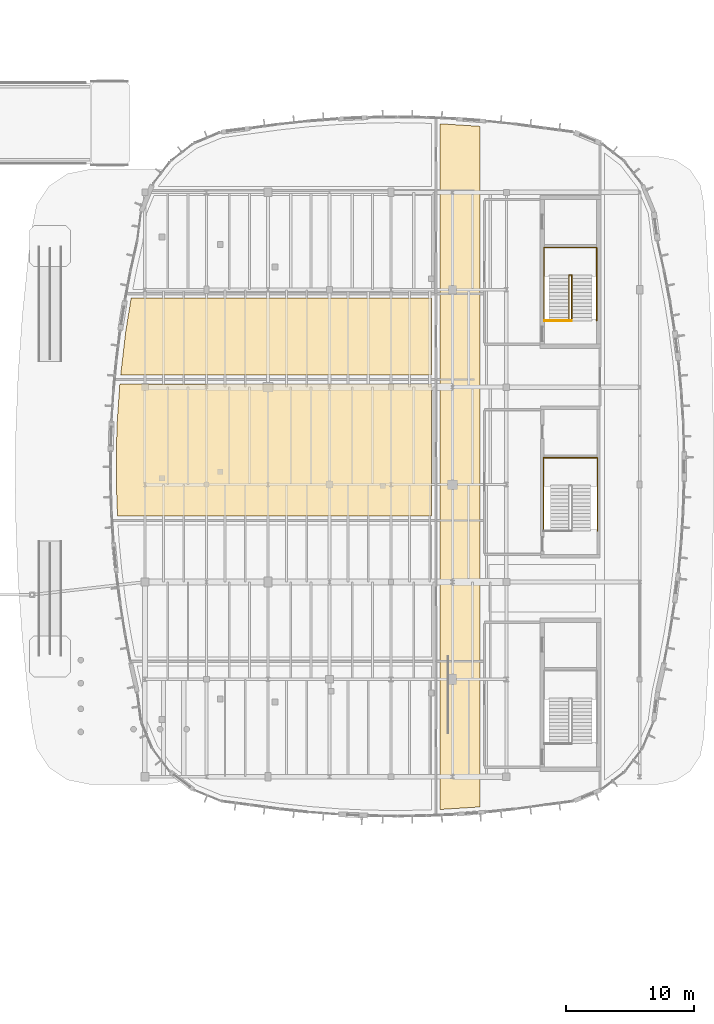
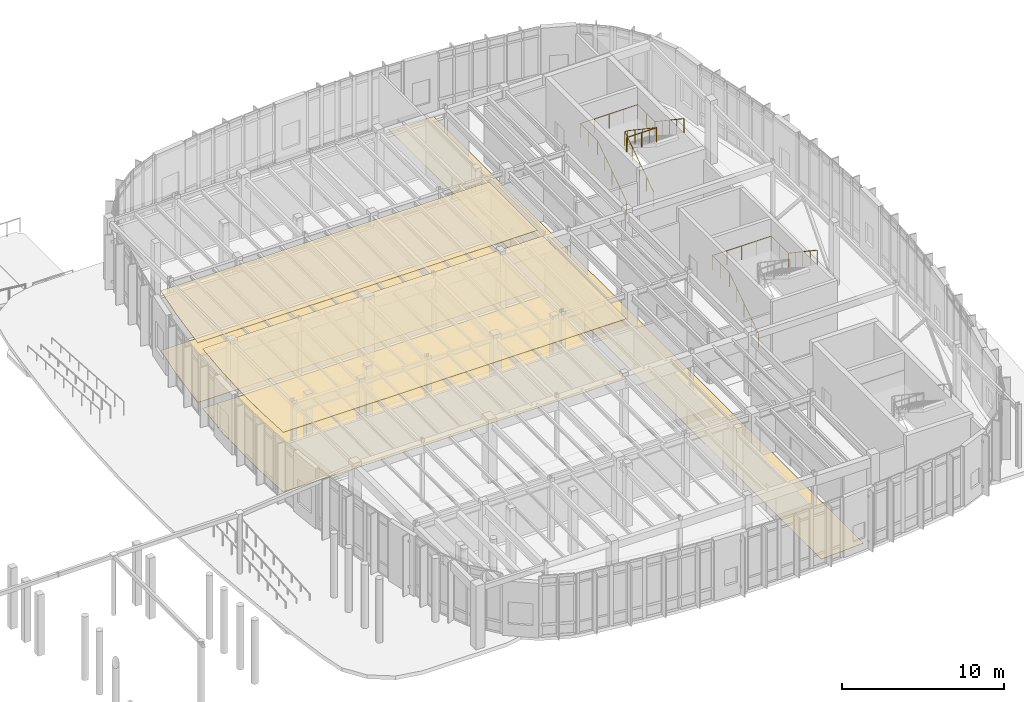
# One storey, part 116 of 120: 5 coverings, 4 railings.
"""IFC4 building model written with IfcOpenShell, lengths in metres."""

from ifc_helpers import new_model, si_unit, direction, frame, origin, origin_2d, place, context, subcontext, project, spatial, polyline, circle, outline, extrude, material, layer, layer_set, type_object, element, save


model = new_model("IFC4")

# Units and contexts
model_context = context("Model", 3, precision=1e-05, world=origin(), true_north=direction((0.0, 1.0)))
body_context = subcontext(model_context, "Body", "Model", "MODEL_VIEW")
ifc_project = project(units=[si_unit("LENGTHUNIT", "METRE"), si_unit("AREAUNIT", "SQUARE_METRE"), si_unit("VOLUMEUNIT", "CUBIC_METRE"), si_unit("PLANEANGLEUNIT", "RADIAN"), si_unit("MASSUNIT", "GRAM", prefix="KILO")], contexts=[model_context])

# Site, building, storey
site_placement = place(None, origin())
site = spatial("IfcSite", under=ifc_project, at=site_placement, CompositionType="ELEMENT")
building_placement = place(site_placement, origin())
building = spatial("IfcBuilding", under=site, at=building_placement, Name="Corveleigh Park Community Centre", CompositionType="ELEMENT")
storey_placement = place(building_placement, origin())
storey = spatial("IfcBuildingStorey", under=building, at=storey_placement, Name="L00", CompositionType="ELEMENT", Elevation=0.0)

# Coverings
ifc_material_1 = material(Name="Perforated acoustic suspended ceiling", Category="gypsum")
ifc_layer_1 = layer(ifc_material_1, 0.0400390625, Name="Perforated acoustic suspended ceiling", Category="gypsum")
ifc_layer_set_1 = layer_set([ifc_layer_1], Name="Perforated acoustic suspended ceiling")
covering_type_1 = type_object("IfcCoveringType", Name="COV-CLG-ACU", PredefinedType="CEILING", material=ifc_layer_set_1)
covering_1_placement = place(storey_placement, frame((0.0, 0.0, 4.4951171875)))
element("IfcCovering", 1, at=covering_1_placement, inside=storey, type_object=covering_type_1, Name="Early Years Preschool Playroom acoustic ceiling", PredefinedType="CEILING", context=body_context, shape_type="SweptSolid", body=[
    extrude(outline(polyline([(127.56201171875, 83.97705078125), (127.636962890625, 86.3310546875), (127.840087890625, 89.260009765625), (152.159912109375, 89.260009765625), (152.159912109375, 78.93994140625), (127.656982421875, 78.93994140625), (127.56201171875, 81.623046875), (127.56201171875, 83.97705078125)])), origin(), (0.0, 0.0, 1.0), 0.039794921875),
])
covering_2_placement = place(storey_placement, frame((0.0, 0.0, 4.4951171875)))
element("IfcCovering", 2, at=covering_2_placement, inside=storey, type_object=covering_type_1, Name="Fire Command Centre acoustic ceiling", PredefinedType="CEILING", context=body_context, shape_type="SweptSolid", body=[
    extrude(outline(polyline([(152.159912109375, 95.9599609375), (152.159912109375, 89.93994140625), (127.904052734375, 89.93994140625), (128.302978515625, 93.361083984375), (128.72412109375, 95.9599609375), (152.159912109375, 95.9599609375)])), origin(), (0.0, 0.0, 1.0), 0.039794921875),
])
ifc_material_2 = material(Name="Acoustic linoleum flooring", Category="wood")
ifc_layer_2 = layer(ifc_material_2, 0.02490234375, Name="Acoustic linoleum flooring", Category="wood")
ifc_layer_set_2 = layer_set([ifc_layer_2], Name="Acoustic linoleum flooring")
covering_type_2 = type_object("IfcCoveringType", Name="COV-FLR-LIN", PredefinedType="FLOORING", material=ifc_layer_set_2)
covering_3_placement = place(storey_placement, origin())
element("IfcCovering", 3, at=covering_3_placement, inside=storey, type_object=covering_type_2, Name="East Wing Ground Gallery flooring", PredefinedType="FLOORING", context=body_context, shape_type="SweptSolid", body=[
    extrude(outline(polyline([(152.840087890625, 56.047119140625), (152.840087890625, 109.552978515625), (155.9599609375, 109.35302734375), (155.9599609375, 56.2470703125), (152.840087890625, 56.047119140625)])), origin(), (0.0, 0.0, 1.0), 0.02490234375),
])
covering_4_placement = place(storey_placement, origin())
element("IfcCovering", 4, at=covering_4_placement, inside=storey, type_object=covering_type_2, Name="Early Years Preschool Playroom flooring", PredefinedType="FLOORING", context=body_context, shape_type="SweptSolid", body=[
    extrude(outline(polyline([(127.56201171875, 83.97705078125), (127.636962890625, 86.3310546875), (127.840087890625, 89.260009765625), (152.159912109375, 89.260009765625), (152.159912109375, 78.93994140625), (127.656982421875, 78.93994140625), (127.56201171875, 81.623046875), (127.56201171875, 83.97705078125)])), origin(), (0.0, 0.0, 1.0), 0.02490234375),
])
covering_5_placement = place(storey_placement, origin())
element("IfcCovering", 5, at=covering_5_placement, inside=storey, type_object=covering_type_2, Name="Fire Command Centre flooring", PredefinedType="FLOORING", context=body_context, shape_type="SweptSolid", body=[
    extrude(outline(polyline([(152.159912109375, 95.9599609375), (152.159912109375, 89.93994140625), (127.904052734375, 89.93994140625), (128.302978515625, 93.361083984375), (128.72412109375, 95.9599609375), (152.159912109375, 95.9599609375)])), origin(), (0.0, 0.0, 1.0), 0.02490234375),
])

# Railings
ifc_material_3 = material(Name="Stainless steel 316 balustrade", Category="steel")
railing_type = type_object("IfcRailingType", Name="RLG-BAL-INT-1100", PredefinedType="BALUSTRADE", material=ifc_material_3)
railing_1_placement = place(storey_placement, frame((162.89990234375, 94.179931640625, 0.0)))
element("IfcRailing", 6, at=railing_1_placement, inside=storey, type_object=railing_type, Name="Stair ST2 inner guard L00", PredefinedType="BALUSTRADE", context=body_context, shape_type="SweptSolid", body=[
    extrude(circle(Radius=0.02392578125, at=origin_2d()), frame((0.0, 0.0, 1.076171875), z_axis=(0.0, 0.830266487006, 0.557366630285), x_axis=(-1.0, 0.0, 0.0)), (0.0, 0.0, 1.0), 4.305908203125),
    extrude(circle(Radius=0.02392578125, at=origin_2d()), frame((0.0, 3.574951171875, 3.47607421875), z_axis=(1.0, 0.0, 0.0), x_axis=(0.0, 1.0, 0.0)), (0.0, 0.0, 1.0), 0.2001953125),
    extrude(circle(Radius=0.02392578125, at=origin_2d()), frame((0.2001953125, 3.574951171875, 3.47607421875), z_axis=(0.0, -0.830240247997, 0.557405714543), x_axis=(1.0, 0.0, 0.0)), (0.0, 0.0, 1.0), 4.305908203125),
    extrude(circle(Radius=0.02099609375, at=origin_2d()), origin(), (0.0, 0.0, 1.0), 1.052001953125),
    extrude(circle(Radius=0.02099609375, at=origin_2d()), frame((0.0, 0.893798828125, 0.60009765625)), (0.0, 0.0, 1.0), 1.052001953125),
    extrude(circle(Radius=0.02099609375, at=origin_2d()), frame((0.0, 1.78759765625, 1.199951171875)), (0.0, 0.0, 1.0), 1.052001953125),
    extrude(circle(Radius=0.02099609375, at=origin_2d()), frame((0.0, 2.68115234375, 1.7998046875)), (0.0, 0.0, 1.0), 1.052001953125),
    extrude(circle(Radius=0.02099609375, at=origin_2d()), frame((0.0, 3.574951171875, 2.39990234375)), (0.0, 0.0, 1.0), 1.052001953125),
    extrude(circle(Radius=0.02099609375, at=origin_2d()), frame((0.2001953125, 3.574951171875, 2.39990234375)), (0.0, 0.0, 1.0), 1.052001953125),
    extrude(circle(Radius=0.02099609375, at=origin_2d()), frame((0.2001953125, 2.68115234375, 3.0)), (0.0, 0.0, 1.0), 1.052001953125),
    extrude(circle(Radius=0.02099609375, at=origin_2d()), frame((0.2001953125, 1.78759765625, 3.60009765625)), (0.0, 0.0, 1.0), 1.052001953125),
    extrude(circle(Radius=0.02099609375, at=origin_2d()), frame((0.2001953125, 0.893798828125, 4.199951171875)), (0.0, 0.0, 1.0), 1.052001953125),
    extrude(circle(Radius=0.02099609375, at=origin_2d()), frame((0.2001953125, 0.0, 4.800048828125)), (0.0, 0.0, 1.0), 1.052001953125),
])
railing_2_placement = place(storey_placement, frame((160.967041015625, 94.179931640625, 4.800048828125)))
element("IfcRailing", 7, at=railing_2_placement, inside=storey, type_object=railing_type, Name="Stair ST2 landing guard L00", PredefinedType="BALUSTRADE", context=body_context, shape_type="SweptSolid", body=[
    extrude(circle(Radius=0.02392578125, at=origin_2d()), frame((0.0, 0.0, 1.076171875), z_axis=(1.0, 0.0, 0.0), x_axis=(0.0, 1.0, 0.0)), (0.0, 0.0, 1.0), 2.133056640625),
    extrude(circle(Radius=0.02099609375, at=origin_2d()), origin(), (0.0, 0.0, 1.0), 1.052001953125),
    extrude(circle(Radius=0.02099609375, at=origin_2d()), frame((1.06640625, 0.0, 0.0)), (0.0, 0.0, 1.0), 1.052001953125),
    extrude(circle(Radius=0.02099609375, at=origin_2d()), frame((2.133056640625, 0.0, 0.0)), (0.0, 0.0, 1.0), 1.052001953125),
])
railing_3_placement = place(storey_placement, frame((160.947021484375, 94.179931640625, 0.0)))
element("IfcRailing", 8, at=railing_3_placement, inside=storey, type_object=railing_type, Name="Stair ST2 perimeter guard L00", PredefinedType="BALUSTRADE", context=body_context, shape_type="SweptSolid", body=[
    extrude(circle(Radius=0.02392578125, at=origin_2d()), frame((0.0, 0.0, 1.076171875), z_axis=(0.0, 0.830266487006, 0.557366630285), x_axis=(-1.0, 0.0, 0.0)), (0.0, 0.0, 1.0), 4.305908203125),
    extrude(circle(Radius=0.02392578125, at=origin_2d()), frame((0.0, 3.574951171875, 3.47607421875), z_axis=(0.0, 1.0, 0.0), x_axis=(-1.0, 0.0, 0.0)), (0.0, 0.0, 1.0), 2.13818359375),
    extrude(circle(Radius=0.02392578125, at=origin_2d()), frame((0.0, 5.713134765625, 3.47607421875), z_axis=(1.0, 0.0, 0.0), x_axis=(0.0, 1.0, 0.0)), (0.0, 0.0, 1.0), 4.10595703125),
    extrude(circle(Radius=0.02392578125, at=origin_2d()), frame((4.10595703125, 5.713134765625, 3.47607421875), z_axis=(0.0, -1.0, 0.0), x_axis=(1.0, 0.0, 0.0)), (0.0, 0.0, 1.0), 2.13818359375),
    extrude(circle(Radius=0.02392578125, at=origin_2d()), frame((4.10595703125, 3.574951171875, 3.47607421875), z_axis=(0.0, -0.830240247997, 0.557405714543), x_axis=(1.0, 0.0, 0.0)), (0.0, 0.0, 1.0), 4.305908203125),
    extrude(circle(Radius=0.02099609375, at=origin_2d()), origin(), (0.0, 0.0, 1.0), 1.052001953125),
    extrude(circle(Radius=0.02099609375, at=origin_2d()), frame((0.0, 0.893798828125, 0.60009765625)), (0.0, 0.0, 1.0), 1.052001953125),
    extrude(circle(Radius=0.02099609375, at=origin_2d()), frame((0.0, 1.78759765625, 1.199951171875)), (0.0, 0.0, 1.0), 1.052001953125),
    extrude(circle(Radius=0.02099609375, at=origin_2d()), frame((0.0, 2.68115234375, 1.7998046875)), (0.0, 0.0, 1.0), 1.052001953125),
    extrude(circle(Radius=0.02099609375, at=origin_2d()), frame((0.0, 3.574951171875, 2.39990234375)), (0.0, 0.0, 1.0), 1.052001953125),
    extrude(circle(Radius=0.02099609375, at=origin_2d()), frame((0.0, 4.64404296875, 2.39990234375)), (0.0, 0.0, 1.0), 1.052001953125),
    extrude(circle(Radius=0.02099609375, at=origin_2d()), frame((0.0, 5.713134765625, 2.39990234375)), (0.0, 0.0, 1.0), 1.052001953125),
    extrude(circle(Radius=0.02099609375, at=origin_2d()), frame((1.0263671875, 5.713134765625, 2.39990234375)), (0.0, 0.0, 1.0), 1.052001953125),
    extrude(circle(Radius=0.02099609375, at=origin_2d()), frame((2.052978515625, 5.713134765625, 2.39990234375)), (0.0, 0.0, 1.0), 1.052001953125),
    extrude(circle(Radius=0.02099609375, at=origin_2d()), frame((3.07958984375, 5.713134765625, 2.39990234375)), (0.0, 0.0, 1.0), 1.052001953125),
    extrude(circle(Radius=0.02099609375, at=origin_2d()), frame((4.10595703125, 5.713134765625, 2.39990234375)), (0.0, 0.0, 1.0), 1.052001953125),
    extrude(circle(Radius=0.02099609375, at=origin_2d()), frame((4.10595703125, 4.64404296875, 2.39990234375)), (0.0, 0.0, 1.0), 1.052001953125),
    extrude(circle(Radius=0.02099609375, at=origin_2d()), frame((4.10595703125, 3.574951171875, 2.39990234375)), (0.0, 0.0, 1.0), 1.052001953125),
    extrude(circle(Radius=0.02099609375, at=origin_2d()), frame((4.10595703125, 2.68115234375, 3.0)), (0.0, 0.0, 1.0), 1.052001953125),
    extrude(circle(Radius=0.02099609375, at=origin_2d()), frame((4.10595703125, 1.78759765625, 3.60009765625)), (0.0, 0.0, 1.0), 1.052001953125),
    extrude(circle(Radius=0.02099609375, at=origin_2d()), frame((4.10595703125, 0.893798828125, 4.199951171875)), (0.0, 0.0, 1.0), 1.052001953125),
    extrude(circle(Radius=0.02099609375, at=origin_2d()), frame((4.10595703125, 0.0, 4.800048828125)), (0.0, 0.0, 1.0), 1.052001953125),
])
railing_4_placement = place(storey_placement, frame((160.89697265625, 77.780029296875, 0.0)))
element("IfcRailing", 9, at=railing_4_placement, inside=storey, type_object=railing_type, Name="Stair ST6 perimeter guard L00", PredefinedType="BALUSTRADE", context=body_context, shape_type="SweptSolid", body=[
    extrude(circle(Radius=0.02392578125, at=origin_2d()), frame((0.0, 0.0, 1.076171875), z_axis=(0.0, 0.830266487006, 0.557366630285), x_axis=(-1.0, 0.0, 0.0)), (0.0, 0.0, 1.0), 4.305908203125),
    extrude(circle(Radius=0.02392578125, at=origin_2d()), frame((0.0, 3.574951171875, 3.47607421875), z_axis=(0.0, 1.0, 0.0), x_axis=(-1.0, 0.0, 0.0)), (0.0, 0.0, 1.0), 2.137939453125),
    extrude(circle(Radius=0.02392578125, at=origin_2d()), frame((0.0, 5.712890625, 3.47607421875), z_axis=(1.0, 0.0, 0.0), x_axis=(0.0, 1.0, 0.0)), (0.0, 0.0, 1.0), 4.2060546875),
    extrude(circle(Radius=0.02392578125, at=origin_2d()), frame((4.2060546875, 5.712890625, 3.47607421875), z_axis=(0.0, -1.0, 0.0), x_axis=(1.0, 0.0, 0.0)), (0.0, 0.0, 1.0), 2.137939453125),
    extrude(circle(Radius=0.02392578125, at=origin_2d()), frame((4.2060546875, 3.574951171875, 3.47607421875), z_axis=(0.0, -0.830240247997, 0.557405714543), x_axis=(1.0, 0.0, 0.0)), (0.0, 0.0, 1.0), 4.305908203125),
    extrude(circle(Radius=0.02099609375, at=origin_2d()), origin(), (0.0, 0.0, 1.0), 1.052001953125),
    extrude(circle(Radius=0.02099609375, at=origin_2d()), frame((0.0, 0.893798828125, 0.60009765625)), (0.0, 0.0, 1.0), 1.052001953125),
    extrude(circle(Radius=0.02099609375, at=origin_2d()), frame((0.0, 1.78759765625, 1.199951171875)), (0.0, 0.0, 1.0), 1.052001953125),
    extrude(circle(Radius=0.02099609375, at=origin_2d()), frame((0.0, 2.68115234375, 1.7998046875)), (0.0, 0.0, 1.0), 1.052001953125),
    extrude(circle(Radius=0.02099609375, at=origin_2d()), frame((0.0, 3.574951171875, 2.39990234375)), (0.0, 0.0, 1.0), 1.052001953125),
    extrude(circle(Radius=0.02099609375, at=origin_2d()), frame((0.0, 4.64404296875, 2.39990234375)), (0.0, 0.0, 1.0), 1.052001953125),
    extrude(circle(Radius=0.02099609375, at=origin_2d()), frame((0.0, 5.712890625, 2.39990234375)), (0.0, 0.0, 1.0), 1.052001953125),
    extrude(circle(Radius=0.02099609375, at=origin_2d()), frame((1.051513671875, 5.712890625, 2.39990234375)), (0.0, 0.0, 1.0), 1.052001953125),
    extrude(circle(Radius=0.02099609375, at=origin_2d()), frame((2.10302734375, 5.712890625, 2.39990234375)), (0.0, 0.0, 1.0), 1.052001953125),
    extrude(circle(Radius=0.02099609375, at=origin_2d()), frame((3.154541015625, 5.712890625, 2.39990234375)), (0.0, 0.0, 1.0), 1.052001953125),
    extrude(circle(Radius=0.02099609375, at=origin_2d()), frame((4.2060546875, 5.712890625, 2.39990234375)), (0.0, 0.0, 1.0), 1.052001953125),
    extrude(circle(Radius=0.02099609375, at=origin_2d()), frame((4.2060546875, 4.64404296875, 2.39990234375)), (0.0, 0.0, 1.0), 1.052001953125),
    extrude(circle(Radius=0.02099609375, at=origin_2d()), frame((4.2060546875, 3.574951171875, 2.39990234375)), (0.0, 0.0, 1.0), 1.052001953125),
    extrude(circle(Radius=0.02099609375, at=origin_2d()), frame((4.2060546875, 2.68115234375, 3.0)), (0.0, 0.0, 1.0), 1.052001953125),
    extrude(circle(Radius=0.02099609375, at=origin_2d()), frame((4.2060546875, 1.78759765625, 3.60009765625)), (0.0, 0.0, 1.0), 1.052001953125),
    extrude(circle(Radius=0.02099609375, at=origin_2d()), frame((4.2060546875, 0.893798828125, 4.199951171875)), (0.0, 0.0, 1.0), 1.052001953125),
    extrude(circle(Radius=0.02099609375, at=origin_2d()), frame((4.2060546875, 0.0, 4.800048828125)), (0.0, 0.0, 1.0), 1.052001953125),
])

save(model, "model.ifc")
